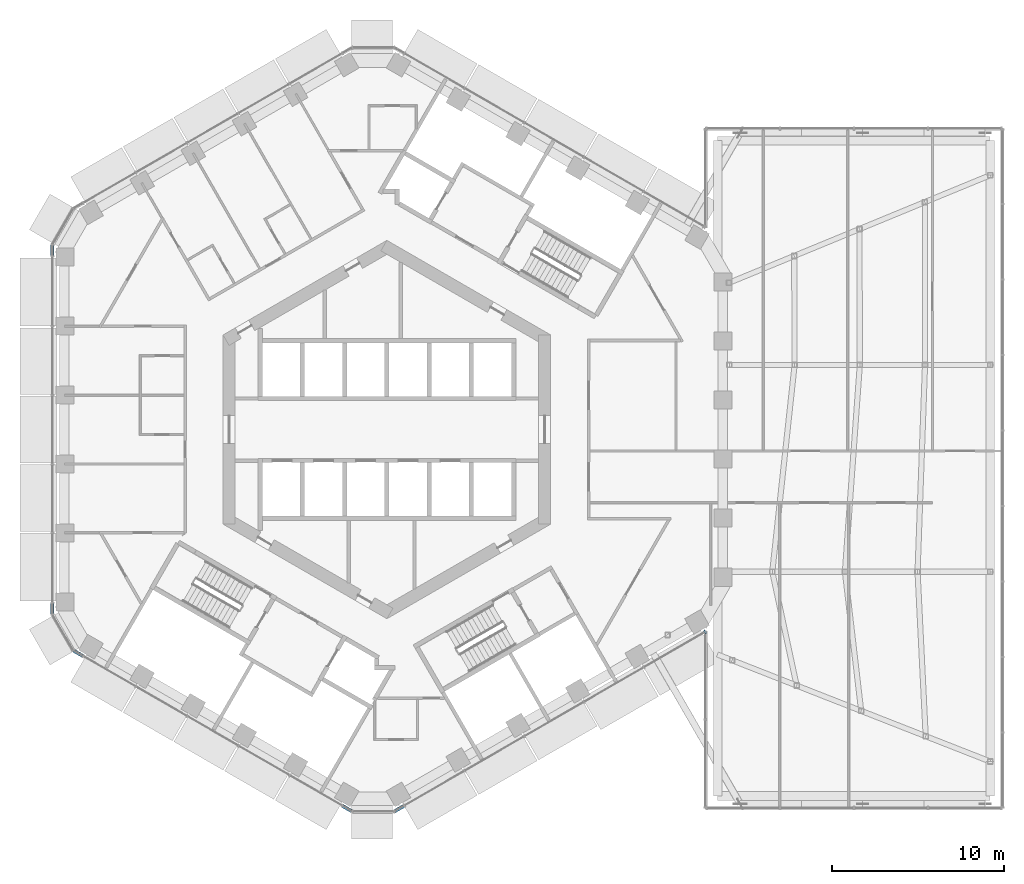
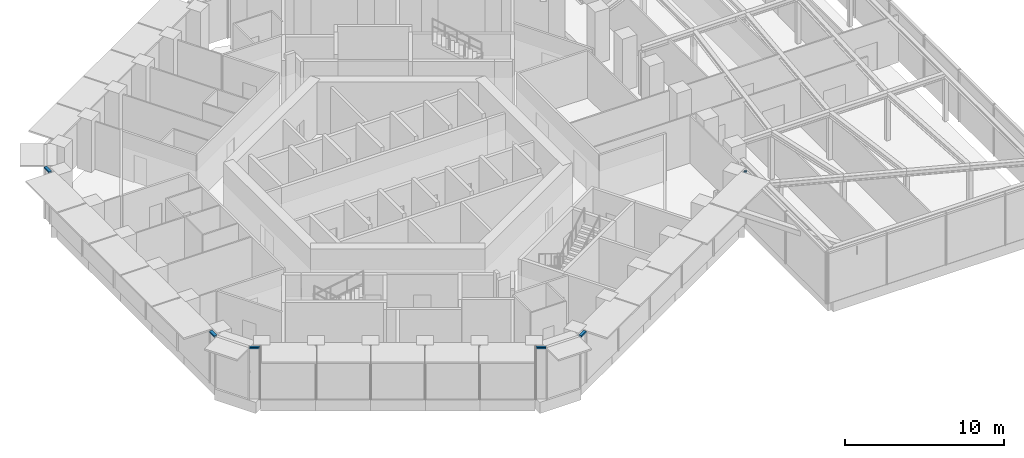
# One storey, part 8 of 24: 6 members, 4 elements without a shape of their own.
"""IFC4 building model written with IfcOpenShell, lengths in metres."""

from ifc_helpers import new_model, si_unit, direction, frame, origin, origin_2d, place, context, subcontext, project, spatial, rectangle, extrude, material, layer, layer_set, material_profile, profile_set, type_object, element, aggregate, save


model = new_model("IFC4")

# Units and contexts
model_context = context("Model", 3, precision=1e-05, world=origin(), true_north=direction((0.0, 1.0)))
body_context = subcontext(model_context, "Body", "Model", "MODEL_VIEW")
ifc_project = project(units=[si_unit("LENGTHUNIT", "METRE"), si_unit("AREAUNIT", "SQUARE_METRE"), si_unit("VOLUMEUNIT", "CUBIC_METRE"), si_unit("PLANEANGLEUNIT", "RADIAN"), si_unit("MASSUNIT", "GRAM", prefix="KILO")], contexts=[model_context])

# Site, building, storey
site_placement = place(None, origin())
site = spatial("IfcSite", under=ifc_project, at=site_placement, CompositionType="ELEMENT")
building_placement = place(site_placement, origin())
building = spatial("IfcBuilding", under=site, at=building_placement, Name="Ayvan Gate Tower", CompositionType="ELEMENT")
storey_placement = place(building_placement, frame((0.0, 0.0, 128.5)))
storey = spatial("IfcBuildingStorey", under=building, at=storey_placement, Name="L34", CompositionType="ELEMENT", Elevation=128.5)

# Curtain wall, member
ifc_material = material(Name="Bronze anodised aluminium", Category="aluminium")
ifc_layer = layer(ifc_material, 0.199951171875)
ifc_layer_set = layer_set([ifc_layer], Name="Bronze anodised aluminium")
curtain_wall_type = type_object("IfcCurtainWallType", Name="Stick curtain wall CW-6", PredefinedType="NOTDEFINED", material=ifc_layer_set)
curtain_wall_1_placement = place(storey_placement, origin())
curtain_wall_1 = element("IfcCurtainWall", 1, at=curtain_wall_1_placement, inside=storey, type_object=curtain_wall_type, Name="Stick curtain wall CW-6 L34", PredefinedType="NOTDEFINED")
ifc_material_profile = material_profile(ifc_material, rectangle(XDim=0.199951171875, YDim=0.1201171875, at=origin_2d()), Name="Stick curtain wall CW-6 transom 200 x 120")
ifc_profile_set = profile_set([ifc_material_profile], Name="Bronze anodised aluminium")
member_type = type_object("IfcMemberType", Name="Stick curtain wall CW-6 transom 200 x 120", PredefinedType="USERDEFINED", material=ifc_profile_set)
member_1_placement = place(storey_placement, frame((-19.39306640625, 10.692626953125, 3.93994140625), z_axis=(0.0, -1.0, 0.0), x_axis=(1.0, 0.0, 0.0)))
member_1 = element("IfcMember", 2, at=member_1_placement, type_object=member_type, Name="CW-6 transom 3", ObjectType="TRANSOM", PredefinedType="USERDEFINED", context=body_context, shape_type="SweptSolid", body=[
    extrude(rectangle(XDim=0.199951171875, YDim=0.1201171875, at=origin_2d()), origin(), (0.0, 0.0, 1.0), 0.625),
])
aggregate(curtain_wall_1, [member_1])

# Curtain wall, members
curtain_wall_2_placement = place(storey_placement, origin())
curtain_wall_2 = element("IfcCurtainWall", 3, at=curtain_wall_2_placement, inside=storey, type_object=curtain_wall_type, Name="Stick curtain wall CW-6 L34", PredefinedType="NOTDEFINED")
member_2_placement = place(storey_placement, frame((-19.39306640625, -10.067626953125, 3.93994140625), z_axis=(0.0, -1.0, 0.0), x_axis=(1.0, 0.0, 0.0)))
member_2 = element("IfcMember", 4, at=member_2_placement, type_object=member_type, Name="CW-6 transom 1", ObjectType="TRANSOM", PredefinedType="USERDEFINED", context=body_context, shape_type="SweptSolid", body=[
    extrude(rectangle(XDim=0.199951171875, YDim=0.1201171875, at=origin_2d()), origin(), (0.0, 0.0, 1.0), 0.625),
])
member_3_placement = place(storey_placement, frame((-18.164306640625, -12.8212890625, 3.93994140625), z_axis=(0.866120568253, -0.499835134068, 0.0), x_axis=(0.499835134068, 0.866120568253, 0.0)))
member_3 = element("IfcMember", 5, at=member_3_placement, type_object=member_type, Name="CW-6 transom 3", ObjectType="TRANSOM", PredefinedType="USERDEFINED", context=body_context, shape_type="SweptSolid", body=[
    extrude(rectangle(XDim=0.199951171875, YDim=0.1201171875, at=origin_2d()), origin(), (0.0, 0.0, 1.0), 0.625244140625),
])
aggregate(curtain_wall_2, [member_2, member_3])

curtain_wall_3_placement = place(storey_placement, origin())
curtain_wall_3 = element("IfcCurtainWall", 6, at=curtain_wall_3_placement, inside=storey, type_object=curtain_wall_type, Name="Stick curtain wall CW-6 L34", PredefinedType="NOTDEFINED")
member_4_placement = place(storey_placement, frame((-2.562744140625, -21.828857421875, 3.93994140625), z_axis=(0.866022959057, -0.500004234368, 0.0), x_axis=(0.500004234368, 0.866022959057, 0.0)))
member_4 = element("IfcMember", 7, at=member_4_placement, type_object=member_type, Name="CW-6 transom 1", ObjectType="TRANSOM", PredefinedType="USERDEFINED", context=body_context, shape_type="SweptSolid", body=[
    extrude(rectangle(XDim=0.199951171875, YDim=0.1201171875, at=origin_2d()), origin(), (0.0, 0.0, 1.0), 0.625),
])
member_5_placement = place(storey_placement, frame((0.4365234375, -22.141357421875, 3.93994140625), z_axis=(0.866022959057, 0.500004234368, 0.0), x_axis=(-0.500004234368, 0.866022959057, 0.0)))
member_5 = element("IfcMember", 8, at=member_5_placement, type_object=member_type, Name="CW-6 transom 3", ObjectType="TRANSOM", PredefinedType="USERDEFINED", context=body_context, shape_type="SweptSolid", body=[
    extrude(rectangle(XDim=0.199951171875, YDim=0.1201171875, at=origin_2d()), origin(), (0.0, 0.0, 1.0), 0.625),
])
aggregate(curtain_wall_3, [member_4, member_5])

# Curtain wall, member
curtain_wall_4_placement = place(storey_placement, origin())
curtain_wall_4 = element("IfcCurtainWall", 9, at=curtain_wall_4_placement, inside=storey, type_object=curtain_wall_type, Name="Stick curtain wall CW-6 L34", PredefinedType="NOTDEFINED")
member_6_placement = place(storey_placement, frame((18.415283203125, -11.76123046875, 3.93994140625), z_axis=(0.707106781187, 0.707106781187, 0.0), x_axis=(-0.707106781187, 0.707106781187, 0.0)))
member_6 = element("IfcMember", 10, at=member_6_placement, type_object=member_type, Name="CW-6 transom 1", ObjectType="TRANSOM", PredefinedType="USERDEFINED", context=body_context, shape_type="SweptSolid", body=[
    extrude(rectangle(XDim=0.199951171875, YDim=0.1201171875, at=origin_2d()), origin(), (0.0, 0.0, 1.0), 0.099365234375),
])
aggregate(curtain_wall_4, [member_6])

save(model, "model.ifc")
